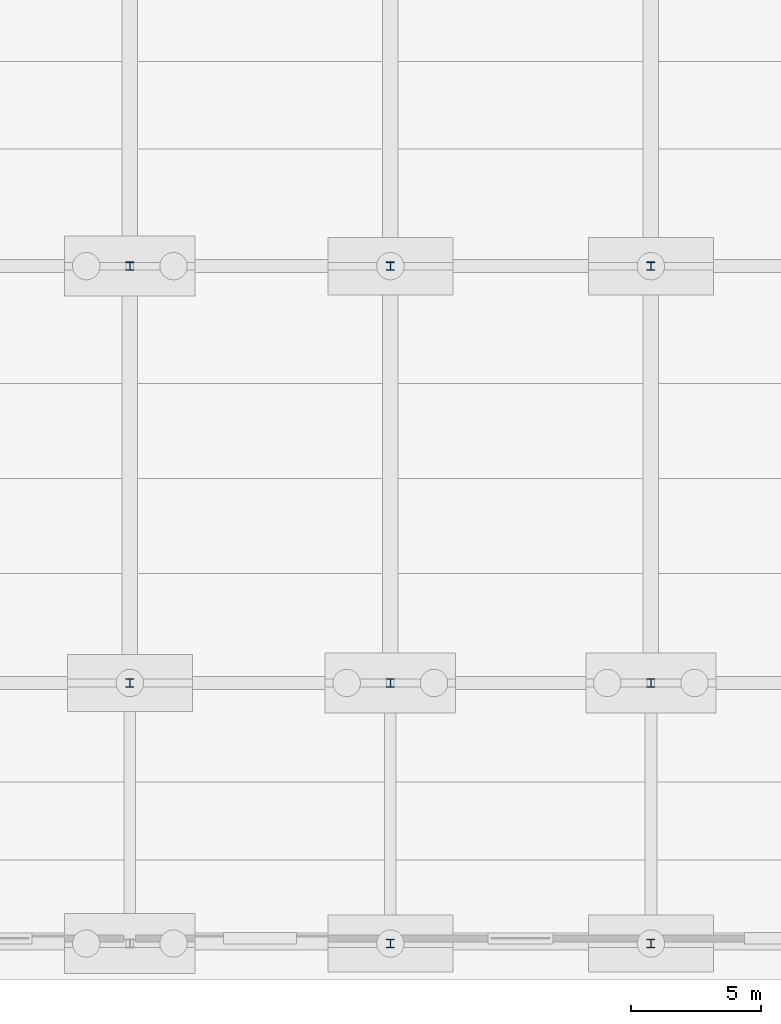
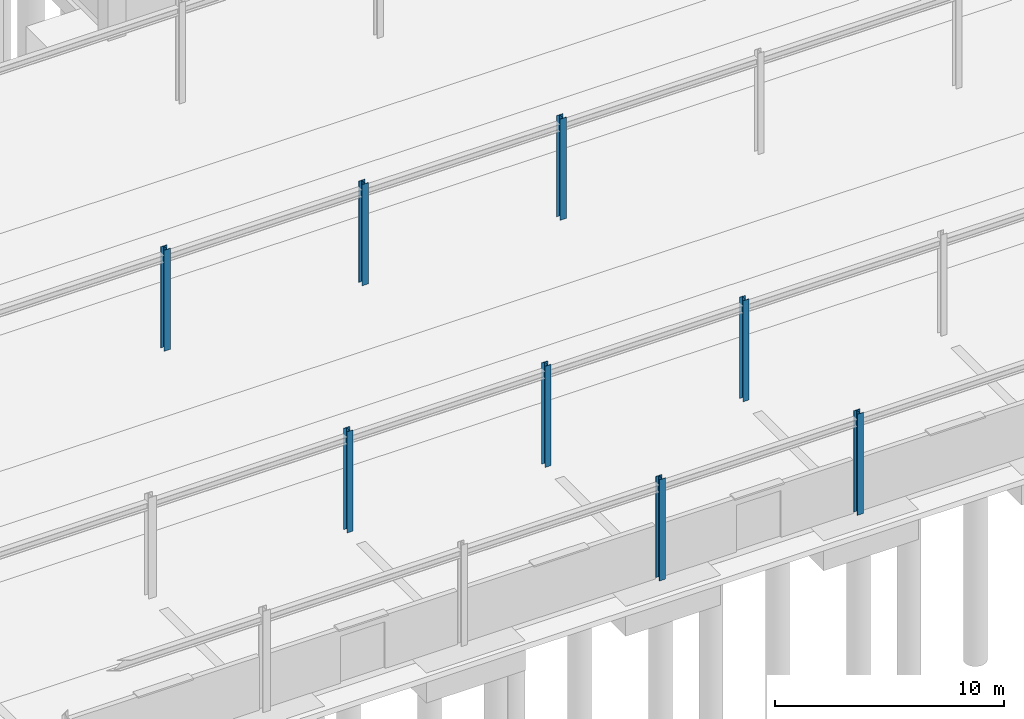
# One storey, part 14 of 99: 8 columns.
"""IFC4 building model written with IfcOpenShell, lengths in metres."""

import ifcopenshell
import ifcopenshell.guid

model = None  # the IFC model being written
_history = None  # IfcOwnerHistory: only IFC2X3 demands one
_inside = {}  # id of a spatial element -> (the spatial element, [elements in it])
_under = {}  # id of a project, library or spatial element -> (it, [spatial elements below it])
_declared = {}  # id of a project -> (the project, [libraries it declares])
_typed = {}  # id of a type object -> (the type object, [elements of that type])
_made_of = {}  # id of a material, layer set ... -> (it, [elements and type objects made of it])


def new_model(schema):
    """Start an empty IFC model of exactly this schema.

    Asked for "IFC4X3", IfcOpenShell would pick the latest addendum, in which some entities
    have other attributes; the version numbers below select the first issue.
    IFC2X3 requires an IfcOwnerHistory on every rooted entity: one is made here for all.
    """
    global model, _history
    if schema == "IFC4X3":
        model = ifcopenshell.file(schema_version=(4, 3, 0, 0))
    else:
        model = ifcopenshell.file(schema=schema)
    _inside.clear()
    _under.clear()
    _declared.clear()
    _typed.clear()
    _made_of.clear()
    _history = None
    if model.schema == "IFC2X3":
        org = make("IfcOrganization", Name="unknown")
        user = make(
            "IfcPersonAndOrganization",
            ThePerson=make("IfcPerson", FamilyName="unknown"),
            TheOrganization=org,
        )
        app = make(
            "IfcApplication",
            ApplicationDeveloper=org,
            Version="unknown",
            ApplicationFullName="unknown",
            ApplicationIdentifier="unknown",
        )
        _history = make(
            "IfcOwnerHistory",
            OwningUser=user,
            OwningApplication=app,
            ChangeAction="ADDED",
            CreationDate=0,
        )
    return model


def make(cls, **values):
    """One entity of the class cls with the attributes given. An attribute that is None is left unset."""
    return model.create_entity(
        cls, **{name: value for name, value in values.items() if value is not None}
    )


def rooted(cls, **values):
    """An entity with a GlobalId (a new one), such as an element, a storey or a relation."""
    return make(cls, GlobalId=ifcopenshell.guid.new(), OwnerHistory=_history, **values)


def si_unit(unit_type, name, prefix=None):
    """IfcSIUnit, for example si_unit("LENGTHUNIT", "METRE", prefix="MILLI")."""
    return make("IfcSIUnit", UnitType=unit_type, Prefix=prefix, Name=name)


def assignment(units):
    """IfcUnitAssignment: the units of a project."""
    return None if units is None else make("IfcUnitAssignment", Units=units)


def point(xyz):
    """IfcCartesianPoint."""
    return None if xyz is None else make("IfcCartesianPoint", Coordinates=xyz)


def direction(xyz):
    """IfcDirection."""
    return None if xyz is None else make("IfcDirection", DirectionRatios=xyz)


def frame(location, z_axis=None, x_axis=None):
    """IfcAxis2Placement3D, a coordinate frame: its origin and axes. An axis left out is left unset."""
    return make(
        "IfcAxis2Placement3D",
        Location=point(location),
        Axis=direction(z_axis),
        RefDirection=direction(x_axis),
    )


def frame_2d(location, x_axis=None):
    """IfcAxis2Placement2D, a coordinate frame in the plane: its origin and x axis."""
    return make(
        "IfcAxis2Placement2D", Location=point(location), RefDirection=direction(x_axis)
    )


def origin():
    """The frame at (0, 0, 0) with its axes left unset."""
    return frame((0.0, 0.0, 0.0))


def origin_2d():
    """The frame at (0, 0) in the plane with its x axis left unset."""
    return frame_2d((0.0, 0.0))


def place(relative_to, where):
    """IfcLocalPlacement: puts the frame where relative to a parent placement (None: the world)."""
    return make(
        "IfcLocalPlacement", PlacementRelTo=relative_to, RelativePlacement=where
    )


def context(
    kind, dimensions, precision=None, world=None, true_north=None, identifier=None
):
    """IfcGeometricRepresentationContext, for example the 3D "Model" context."""
    return make(
        "IfcGeometricRepresentationContext",
        ContextIdentifier=identifier,
        ContextType=kind,
        CoordinateSpaceDimension=dimensions,
        Precision=precision,
        WorldCoordinateSystem=world,
        TrueNorth=true_north,
    )


def subcontext(parent, identifier, kind, view, scale=None):
    """IfcGeometricRepresentationSubContext, for example "Body" below "Model"."""
    return make(
        "IfcGeometricRepresentationSubContext",
        ContextIdentifier=identifier,
        ContextType=kind,
        ParentContext=parent,
        TargetScale=scale,
        TargetView=view,
    )


def project(units=None, contexts=None):
    """IfcProject with its units and contexts."""
    return rooted(
        "IfcProject",
        Name="project",
        RepresentationContexts=contexts,
        UnitsInContext=assignment(units),
    )


def spatial(cls, under=None, at=None, **own):
    """A site, building, storey or space (cls), placed at a placement, below another one or the project."""
    s = rooted(cls, ObjectPlacement=at, **own)
    if under is not None:
        _under.setdefault(under.id(), (under, []))[1].append(s)
    return s


def profile(cls, at=None, kind="AREA", **sizes):
    """A parametric profile (cls). Its sizes go by their IFC names, for example OverallWidth=200.0."""
    return make(cls, ProfileType=kind, Position=at, **sizes)


def i_section(**sizes):
    """IfcIShapeProfileDef."""
    return profile("IfcIShapeProfileDef", **sizes)


def extrude(swept, where, along, depth):
    """IfcExtrudedAreaSolid: the profile swept, set in the frame where, extruded along a direction by depth."""
    return make(
        "IfcExtrudedAreaSolid",
        SweptArea=swept,
        Position=where,
        ExtrudedDirection=direction(along),
        Depth=depth,
    )


def shape(context_of_items, identifier, shape_type, items):
    """IfcShapeRepresentation: the items that make up one representation, for example the "Body"."""
    return make(
        "IfcShapeRepresentation",
        ContextOfItems=context_of_items,
        RepresentationIdentifier=identifier,
        RepresentationType=shape_type,
        Items=items,
    )


def material(Name=None, Category=None):
    """IfcMaterial."""
    return make("IfcMaterial", Name=Name, Category=Category)


def material_profile(
    of_material, cross_section, Name=None, Category=None, Priority=None
):
    """IfcMaterialProfile: a cross section and its material."""
    return make(
        "IfcMaterialProfile",
        Name=Name,
        Material=of_material,
        Profile=cross_section,
        Priority=Priority,
        Category=Category,
    )


def profile_set(profiles, Name=None, composite=None):
    """IfcMaterialProfileSet."""
    return make(
        "IfcMaterialProfileSet",
        Name=Name,
        MaterialProfiles=profiles,
        CompositeProfile=composite,
    )


def made_of(thing, what):
    """Note that an element or type object is made of a material, layer set ...; save() writes the relation."""
    if what is not None:
        _made_of.setdefault(what.id(), (what, []))[1].append(thing)
    return thing


def type_object(cls, material=None, **own):
    """A type object (cls), such as IfcWallType, which elements share."""
    return made_of(rooted(cls, **own), material)


def element(
    cls,
    number,
    at=None,
    inside=None,
    cuts=None,
    type_object=None,
    material=None,
    context=None,
    identifier="Body",
    shape_type=None,
    held_by="IfcProductDefinitionShape",
    body=None,
    shapes=None,
    **own,
):
    """One element of the class cls, such as IfcWall. Its Tag is "e" and its number.

    at: its placement. inside: the storey or other place that contains it. cuts: it is an
    opening in that element (IfcRelVoidsElement). A single representation is given by context,
    identifier, shape_type and body (its items); several are given by shapes. held_by: the class
    of the entity that holds the representations. save() writes the other relations.
    """
    e = rooted(cls, Tag="e%d" % number, ObjectPlacement=at, **own)
    if body is not None:
        shapes = [shape(context, identifier, shape_type, body)]
    if shapes is not None:
        e.Representation = make(held_by, Representations=shapes)
    if inside is not None:
        _inside.setdefault(inside.id(), (inside, []))[1].append(e)
    if cuts is not None:
        rooted(
            "IfcRelVoidsElement", RelatingBuildingElement=cuts, RelatedOpeningElement=e
        )
    if type_object is not None:
        _typed.setdefault(type_object.id(), (type_object, []))[1].append(e)
    return made_of(e, material)


def aggregate(whole, parts):
    """IfcRelAggregates: a whole, such as a stair, and the parts it consists of."""
    return rooted("IfcRelAggregates", RelatingObject=whole, RelatedObjects=parts)


def save(model, path):
    """Write the relations noted so far, then the file.

    IfcRelAggregates (storeys below a building ...), IfcRelContainedInSpatialStructure (elements
    in a storey), IfcRelDefinesByType, IfcRelAssociatesMaterial and IfcRelDeclares: one each for
    every whole, place, type object, material and project.
    """
    for whole, parts in _under.values():
        aggregate(whole, parts)
    for where, things in _inside.values():
        rooted(
            "IfcRelContainedInSpatialStructure",
            RelatedElements=things,
            RelatingStructure=where,
        )
    for kind, things in _typed.values():
        rooted("IfcRelDefinesByType", RelatedObjects=things, RelatingType=kind)
    for what, things in _made_of.values():
        rooted("IfcRelAssociatesMaterial", RelatedObjects=things, RelatingMaterial=what)
    for by, libraries in _declared.values():
        rooted("IfcRelDeclares", RelatingContext=by, RelatedDefinitions=libraries)
    model.write(path)


model = new_model("IFC4")

# Units and contexts
model_context = context("Model", 3, precision=1e-05, world=origin(), true_north=direction((0.0, 1.0)))
body_context = subcontext(model_context, "Body", "Model", "MODEL_VIEW")
ifc_project = project(units=[si_unit("LENGTHUNIT", "METRE"), si_unit("AREAUNIT", "SQUARE_METRE"), si_unit("VOLUMEUNIT", "CUBIC_METRE"), si_unit("PLANEANGLEUNIT", "RADIAN"), si_unit("MASSUNIT", "GRAM", prefix="KILO")], contexts=[model_context])

# Site, building, storey
site_placement = place(None, origin())
site = spatial("IfcSite", under=ifc_project, at=site_placement, CompositionType="ELEMENT")
building_placement = place(site_placement, origin())
building = spatial("IfcBuilding", under=site, at=building_placement, Name="Kivolera Central Railway Station", CompositionType="ELEMENT")
storey_placement = place(building_placement, origin())
storey = spatial("IfcBuildingStorey", under=building, at=storey_placement, Name="L00", CompositionType="ELEMENT", Elevation=0.0)

# Columns
ifc_material = material(Name="Steel S355", Category="steel")
ifc_material_profile = material_profile(ifc_material, i_section(OverallWidth=0.30908203125, OverallDepth=0.320556640625, WebThickness=0.013916015625, FlangeThickness=0.021728515625, FilletRadius=0.01513671875, at=origin_2d()), Name="UC 305x305x137")
ifc_profile_set = profile_set([ifc_material_profile], Name="Steel S355")
column_type = type_object("IfcColumnType", Name="COL-STL-UC305", PredefinedType="COLUMN", material=ifc_profile_set)
for number, where, z_axis, x_axis, name in (
    (1, (108.0, 16.0, 0.0), (0.0, 0.0, 1.0), (1.0, 0.0, 0.0), "L00 Train Shed Column 11-B"),
    (2, (108.0, 32.0, 0.0), (0.0, 0.0, 1.0), (1.0, 0.0, 0.0), "L00 Train Shed Column 11-C"),
    (3, (118.0, 6.0, 0.0), (0.0, 0.0, 1.0), (1.0, 0.0, 0.0), "L00 Train Shed Column 12-A"),
    (4, (118.0, 16.0, 0.0), (0.0, 0.0, 1.0), (1.0, 0.0, 0.0), "L00 Train Shed Column 12-B"),
    (5, (118.0, 32.0, 0.0), (0.0, 0.0, 1.0), (1.0, 0.0, 0.0), "L00 Train Shed Column 12-C"),
    (6, (128.0, 6.0, 0.0), (0.0, 0.0, 1.0), (1.0, 0.0, 0.0), "L00 Train Shed Column 13-A"),
    (7, (128.0, 16.0, 0.0), (0.0, 0.0, 1.0), (1.0, 0.0, 0.0), "L00 Train Shed Column 13-B"),
    (8, (128.0, 32.0, 0.0), (0.0, 0.0, 1.0), (1.0, 0.0, 0.0), "L00 Train Shed Column 13-C"),
):
    element("IfcColumn", number, at=place(storey_placement, frame(where, z_axis=z_axis, x_axis=x_axis)), inside=storey, type_object=column_type, Name=name, PredefinedType="COLUMN", context=body_context, shape_type="SweptSolid", body=[
        extrude(i_section(OverallWidth=0.30908203125, OverallDepth=0.320556640625, WebThickness=0.013916015625, FlangeThickness=0.021728515625, FilletRadius=0.01513671875, at=origin_2d()), origin(), (0.0, 0.0, 1.0), 5.39990234375),
    ])

save(model, "model.ifc")
